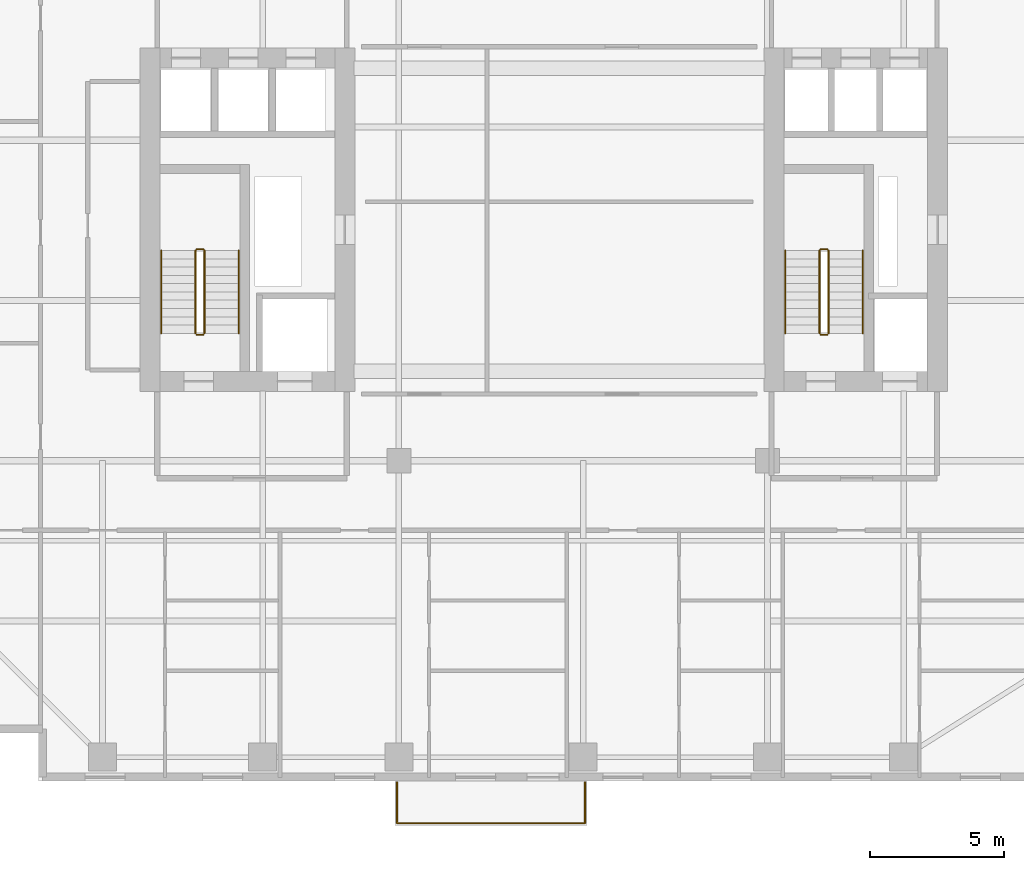
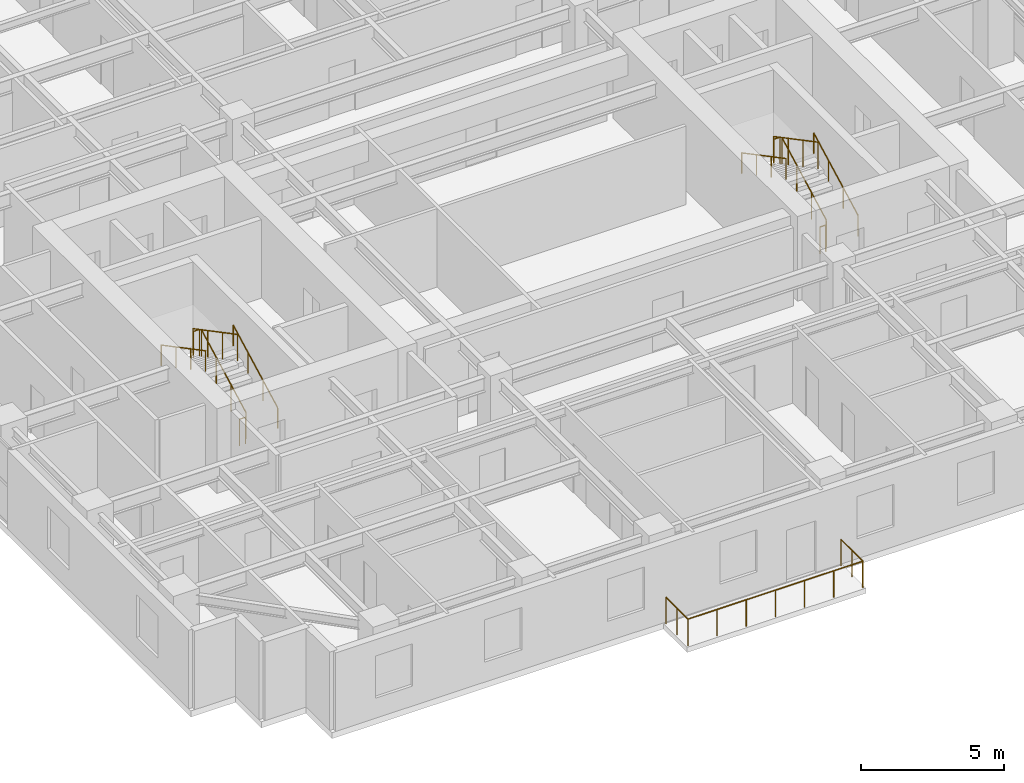
# One storey, part 14 of 15: 13 railings.
"""IFC4 building model written with IfcOpenShell, lengths in metres."""

from ifc_helpers import new_model, si_unit, direction, frame, origin, origin_2d, place, context, subcontext, project, spatial, circle, extrude, material, type_object, element, save


model = new_model("IFC4")

# Units and contexts
model_context = context("Model", 3, precision=1e-05, world=origin(), true_north=direction((0.0, 1.0)))
body_context = subcontext(model_context, "Body", "Model", "MODEL_VIEW")
ifc_project = project(units=[si_unit("LENGTHUNIT", "METRE"), si_unit("AREAUNIT", "SQUARE_METRE"), si_unit("VOLUMEUNIT", "CUBIC_METRE"), si_unit("PLANEANGLEUNIT", "RADIAN"), si_unit("MASSUNIT", "GRAM", prefix="KILO")], contexts=[model_context])

# Site, building, storey
site_placement = place(None, origin())
site = spatial("IfcSite", under=ifc_project, at=site_placement, CompositionType="ELEMENT")
building_placement = place(site_placement, origin())
building = spatial("IfcBuilding", under=site, at=building_placement, Name="Khoralis Quay Care Tower", CompositionType="ELEMENT")
storey_placement = place(building_placement, frame((0.0, 0.0, 123.300048828125)))
storey = spatial("IfcBuildingStorey", under=building, at=storey_placement, Name="L32", CompositionType="ELEMENT", Elevation=123.300048828125)

# Railings
ifc_material_1 = material(Name="Pale anodised aluminium", Category="aluminium")
railing_type_1 = type_object("IfcRailingType", Name="RL-BALUST-1150", PredefinedType="BALUSTRADE", material=ifc_material_1)
railing_1_placement = place(storey_placement, frame((17.030029296875, -0.0400390625, -0.0400390625)))
element("IfcRailing", 1, at=railing_1_placement, inside=storey, type_object=railing_type_1, Name="L32 Senior Loggia Balcony Guard", PredefinedType="BALUSTRADE", context=body_context, shape_type="SweptSolid", body=[
    extrude(circle(Radius=0.02392578125, at=origin_2d()), frame((0.0, 0.0, 1.1259765625), z_axis=(0.0, -1.0, 0.0), x_axis=(1.0, 0.0, 0.0)), (0.0, 0.0, 1.0), 1.530029296875),
    extrude(circle(Radius=0.02392578125, at=origin_2d()), frame((0.0, -1.530029296875, 1.1259765625), z_axis=(1.0, 0.0, 0.0), x_axis=(0.0, 1.0, 0.0)), (0.0, 0.0, 1.0), 7.0400390625),
    extrude(circle(Radius=0.02392578125, at=origin_2d()), frame((7.0400390625, -1.530029296875, 1.1259765625), z_axis=(0.0, 1.0, 0.0), x_axis=(-1.0, 0.0, 0.0)), (0.0, 0.0, 1.0), 1.530029296875),
    extrude(circle(Radius=0.02099609375, at=origin_2d()), origin(), (0.0, 0.0, 1.0), 1.101806640625),
    extrude(circle(Radius=0.02099609375, at=origin_2d()), frame((0.0, -0.76513671875, 0.0)), (0.0, 0.0, 1.0), 1.101806640625),
    extrude(circle(Radius=0.02099609375, at=origin_2d()), frame((0.0, -1.530029296875, 0.0)), (0.0, 0.0, 1.0), 1.101806640625),
    extrude(circle(Radius=0.02099609375, at=origin_2d()), frame((1.17333984375, -1.530029296875, 0.0)), (0.0, 0.0, 1.0), 1.101806640625),
    extrude(circle(Radius=0.02099609375, at=origin_2d()), frame((2.3466796875, -1.530029296875, 0.0)), (0.0, 0.0, 1.0), 1.101806640625),
    extrude(circle(Radius=0.02099609375, at=origin_2d()), frame((3.52001953125, -1.530029296875, 0.0)), (0.0, 0.0, 1.0), 1.101806640625),
    extrude(circle(Radius=0.02099609375, at=origin_2d()), frame((4.693359375, -1.530029296875, 0.0)), (0.0, 0.0, 1.0), 1.101806640625),
    extrude(circle(Radius=0.02099609375, at=origin_2d()), frame((5.86669921875, -1.530029296875, 0.0)), (0.0, 0.0, 1.0), 1.101806640625),
    extrude(circle(Radius=0.02099609375, at=origin_2d()), frame((7.0400390625, -1.530029296875, 0.0)), (0.0, 0.0, 1.0), 1.101806640625),
    extrude(circle(Radius=0.02099609375, at=origin_2d()), frame((7.0400390625, -0.76513671875, 0.0)), (0.0, 0.0, 1.0), 1.101806640625),
    extrude(circle(Radius=0.02099609375, at=origin_2d()), frame((7.0400390625, 0.0, 0.0)), (0.0, 0.0, 1.0), 1.101806640625),
])
ifc_material_2 = material(Name="Brushed stainless steel", Category="steel")
railing_type_2 = type_object("IfcRailingType", Name="RL-GUARD-1150", PredefinedType="GUARDRAIL", material=ifc_material_2)
railing_2_placement = place(storey_placement, frame((9.820068359375, 16.77001953125, 0.16357421875)))
element("IfcRailing", 2, at=railing_2_placement, inside=storey, type_object=railing_type_2, Name="L32 ST-T1 stair guard 1", PredefinedType="GUARDRAIL", context=body_context, shape_type="SweptSolid", body=[
    extrude(circle(Radius=0.02392578125, at=origin_2d()), frame((0.0, 0.0, 1.1259765625), z_axis=(0.0, 0.884348015382, 0.466828220752), x_axis=(-1.0, 0.0, 0.0)), (0.0, 0.0, 1.0), 3.505615234375),
    extrude(circle(Radius=0.02099609375, at=origin_2d()), origin(), (0.0, 0.0, 1.0), 1.101806640625),
    extrude(circle(Radius=0.02099609375, at=origin_2d()), frame((0.0, 1.033447265625, 0.54541015625)), (0.0, 0.0, 1.0), 1.101806640625),
    extrude(circle(Radius=0.02099609375, at=origin_2d()), frame((0.0, 2.066650390625, 1.091064453125)), (0.0, 0.0, 1.0), 1.101806640625),
    extrude(circle(Radius=0.02099609375, at=origin_2d()), frame((0.0, 3.10009765625, 1.636474609375)), (0.0, 0.0, 1.0), 1.101806640625),
])
railing_3_placement = place(storey_placement, frame((9.77001953125, 19.919921875, 1.800048828125)))
element("IfcRailing", 3, at=railing_3_placement, inside=storey, type_object=railing_type_2, Name="L32 ST-T1 stair guard 2", PredefinedType="GUARDRAIL", context=body_context, shape_type="SweptSolid", body=[
    extrude(circle(Radius=0.02392578125, at=origin_2d()), frame((0.0, 0.0, 1.1259765625), z_axis=(-1.0, 0.0, 0.0), x_axis=(0.0, -1.0, 0.0)), (0.0, 0.0, 1.0), 0.239990234375),
    extrude(circle(Radius=0.02099609375, at=origin_2d()), origin(), (0.0, 0.0, 1.0), 1.101806640625),
    extrude(circle(Radius=0.02099609375, at=origin_2d()), frame((-0.239990234375, 0.0, 0.0)), (0.0, 0.0, 1.0), 1.101806640625),
])
railing_4_placement = place(storey_placement, frame((9.47998046875, 19.8701171875, 1.963623046875)))
element("IfcRailing", 4, at=railing_4_placement, inside=storey, type_object=railing_type_2, Name="L32 ST-T1 stair guard 3", PredefinedType="GUARDRAIL", context=body_context, shape_type="SweptSolid", body=[
    extrude(circle(Radius=0.02392578125, at=origin_2d()), frame((0.0, 0.0, 1.1259765625), z_axis=(0.0, -0.884376766648, 0.46677375099), x_axis=(1.0, 0.0, 0.0)), (0.0, 0.0, 1.0), 3.50537109375),
    extrude(circle(Radius=0.02099609375, at=origin_2d()), origin(), (0.0, 0.0, 1.0), 1.101806640625),
    extrude(circle(Radius=0.02099609375, at=origin_2d()), frame((0.0, -1.033447265625, 0.54541015625)), (0.0, 0.0, 1.0), 1.101806640625),
    extrude(circle(Radius=0.02099609375, at=origin_2d()), frame((0.0, -2.066650390625, 1.0908203125)), (0.0, 0.0, 1.0), 1.101806640625),
    extrude(circle(Radius=0.02099609375, at=origin_2d()), frame((0.0, -3.10009765625, 1.63623046875)), (0.0, 0.0, 1.0), 1.101806640625),
])
railing_5_placement = place(storey_placement, frame((9.77001953125, 16.719970703125, 0.0)))
element("IfcRailing", 5, at=railing_5_placement, inside=storey, type_object=railing_type_2, Name="L32 ST-T1 stair guard 4", PredefinedType="GUARDRAIL", context=body_context, shape_type="SweptSolid", body=[
    extrude(circle(Radius=0.02392578125, at=origin_2d()), frame((0.0, 0.0, 1.1259765625), z_axis=(-1.0, 0.0, 0.0), x_axis=(0.0, -1.0, 0.0)), (0.0, 0.0, 1.0), 0.239990234375),
    extrude(circle(Radius=0.02099609375, at=origin_2d()), origin(), (0.0, 0.0, 1.0), 1.101806640625),
    extrude(circle(Radius=0.02099609375, at=origin_2d()), frame((-0.239990234375, 0.0, 0.0)), (0.0, 0.0, 1.0), 1.101806640625),
])
railing_6_placement = place(storey_placement, frame((33.18994140625, 16.77001953125, 0.16357421875)))
element("IfcRailing", 6, at=railing_6_placement, inside=storey, type_object=railing_type_2, Name="L32 ST-T2 stair guard 1", PredefinedType="GUARDRAIL", context=body_context, shape_type="SweptSolid", body=[
    extrude(circle(Radius=0.02392578125, at=origin_2d()), frame((0.0, 0.0, 1.1259765625), z_axis=(0.0, 0.884348015382, 0.466828220752), x_axis=(-1.0, 0.0, 0.0)), (0.0, 0.0, 1.0), 3.505615234375),
    extrude(circle(Radius=0.02099609375, at=origin_2d()), origin(), (0.0, 0.0, 1.0), 1.101806640625),
    extrude(circle(Radius=0.02099609375, at=origin_2d()), frame((0.0, 1.033447265625, 0.54541015625)), (0.0, 0.0, 1.0), 1.101806640625),
    extrude(circle(Radius=0.02099609375, at=origin_2d()), frame((0.0, 2.066650390625, 1.091064453125)), (0.0, 0.0, 1.0), 1.101806640625),
    extrude(circle(Radius=0.02099609375, at=origin_2d()), frame((0.0, 3.10009765625, 1.636474609375)), (0.0, 0.0, 1.0), 1.101806640625),
])
railing_7_placement = place(storey_placement, frame((33.139892578125, 19.919921875, 1.800048828125)))
element("IfcRailing", 7, at=railing_7_placement, inside=storey, type_object=railing_type_2, Name="L32 ST-T2 stair guard 2", PredefinedType="GUARDRAIL", context=body_context, shape_type="SweptSolid", body=[
    extrude(circle(Radius=0.02392578125, at=origin_2d()), frame((0.0, 0.0, 1.1259765625), z_axis=(-1.0, 0.0, 0.0), x_axis=(0.0, -1.0, 0.0)), (0.0, 0.0, 1.0), 0.239990234375),
    extrude(circle(Radius=0.02099609375, at=origin_2d()), origin(), (0.0, 0.0, 1.0), 1.101806640625),
    extrude(circle(Radius=0.02099609375, at=origin_2d()), frame((-0.239990234375, 0.0, 0.0)), (0.0, 0.0, 1.0), 1.101806640625),
])
railing_8_placement = place(storey_placement, frame((32.85009765625, 19.8701171875, 1.963623046875)))
element("IfcRailing", 8, at=railing_8_placement, inside=storey, type_object=railing_type_2, Name="L32 ST-T2 stair guard 3", PredefinedType="GUARDRAIL", context=body_context, shape_type="SweptSolid", body=[
    extrude(circle(Radius=0.02392578125, at=origin_2d()), frame((0.0, 0.0, 1.1259765625), z_axis=(0.0, -0.884376766648, 0.46677375099), x_axis=(1.0, 0.0, 0.0)), (0.0, 0.0, 1.0), 3.50537109375),
    extrude(circle(Radius=0.02099609375, at=origin_2d()), origin(), (0.0, 0.0, 1.0), 1.101806640625),
    extrude(circle(Radius=0.02099609375, at=origin_2d()), frame((0.0, -1.033447265625, 0.54541015625)), (0.0, 0.0, 1.0), 1.101806640625),
    extrude(circle(Radius=0.02099609375, at=origin_2d()), frame((0.0, -2.066650390625, 1.0908203125)), (0.0, 0.0, 1.0), 1.101806640625),
    extrude(circle(Radius=0.02099609375, at=origin_2d()), frame((0.0, -3.10009765625, 1.63623046875)), (0.0, 0.0, 1.0), 1.101806640625),
])
railing_9_placement = place(storey_placement, frame((33.139892578125, 16.719970703125, 0.0)))
element("IfcRailing", 9, at=railing_9_placement, inside=storey, type_object=railing_type_2, Name="L32 ST-T2 stair guard 4", PredefinedType="GUARDRAIL", context=body_context, shape_type="SweptSolid", body=[
    extrude(circle(Radius=0.02392578125, at=origin_2d()), frame((0.0, 0.0, 1.1259765625), z_axis=(-1.0, 0.0, 0.0), x_axis=(0.0, -1.0, 0.0)), (0.0, 0.0, 1.0), 0.239990234375),
    extrude(circle(Radius=0.02099609375, at=origin_2d()), origin(), (0.0, 0.0, 1.0), 1.101806640625),
    extrude(circle(Radius=0.02099609375, at=origin_2d()), frame((-0.239990234375, 0.0, 0.0)), (0.0, 0.0, 1.0), 1.101806640625),
])
railing_type_3 = type_object("IfcRailingType", Name="RL-HAND-900", PredefinedType="HANDRAIL", material=ifc_material_2)
railing_10_placement = place(storey_placement, frame((11.10009765625, 16.77001953125, 0.16357421875)))
element("IfcRailing", 10, at=railing_10_placement, inside=storey, type_object=railing_type_3, Name="L32 ST-T1 stair handrail 1", PredefinedType="HANDRAIL", context=body_context, shape_type="SweptSolid", body=[
    extrude(circle(Radius=0.02392578125, at=origin_2d()), frame((0.0, 0.0, 0.8759765625), z_axis=(0.0, 0.884348015382, 0.466828220752), x_axis=(-1.0, 0.0, 0.0)), (0.0, 0.0, 1.0), 3.505615234375),
    extrude(circle(Radius=0.02099609375, at=origin_2d()), origin(), (0.0, 0.0, 1.0), 0.851806640625),
    extrude(circle(Radius=0.02099609375, at=origin_2d()), frame((0.0, 1.033447265625, 0.54541015625)), (0.0, 0.0, 1.0), 0.851806640625),
    extrude(circle(Radius=0.02099609375, at=origin_2d()), frame((0.0, 2.066650390625, 1.091064453125)), (0.0, 0.0, 1.0), 0.851806640625),
    extrude(circle(Radius=0.02099609375, at=origin_2d()), frame((0.0, 3.10009765625, 1.636474609375)), (0.0, 0.0, 1.0), 0.851806640625),
])
railing_11_placement = place(storey_placement, frame((8.199951171875, 19.8701171875, 1.963623046875)))
element("IfcRailing", 11, at=railing_11_placement, inside=storey, type_object=railing_type_3, Name="L32 ST-T1 stair handrail 2", PredefinedType="HANDRAIL", context=body_context, shape_type="SweptSolid", body=[
    extrude(circle(Radius=0.02392578125, at=origin_2d()), frame((0.0, 0.0, 0.8759765625), z_axis=(0.0, -0.884376766648, 0.46677375099), x_axis=(1.0, 0.0, 0.0)), (0.0, 0.0, 1.0), 3.50537109375),
    extrude(circle(Radius=0.02099609375, at=origin_2d()), origin(), (0.0, 0.0, 1.0), 0.851806640625),
    extrude(circle(Radius=0.02099609375, at=origin_2d()), frame((0.0, -1.033447265625, 0.54541015625)), (0.0, 0.0, 1.0), 0.851806640625),
    extrude(circle(Radius=0.02099609375, at=origin_2d()), frame((0.0, -2.066650390625, 1.0908203125)), (0.0, 0.0, 1.0), 0.851806640625),
    extrude(circle(Radius=0.02099609375, at=origin_2d()), frame((0.0, -3.10009765625, 1.63623046875)), (0.0, 0.0, 1.0), 0.851806640625),
])
railing_12_placement = place(storey_placement, frame((34.469970703125, 16.77001953125, 0.16357421875)))
element("IfcRailing", 12, at=railing_12_placement, inside=storey, type_object=railing_type_3, Name="L32 ST-T2 stair handrail 1", PredefinedType="HANDRAIL", context=body_context, shape_type="SweptSolid", body=[
    extrude(circle(Radius=0.02392578125, at=origin_2d()), frame((0.0, 0.0, 0.8759765625), z_axis=(0.0, 0.884348015382, 0.466828220752), x_axis=(-1.0, 0.0, 0.0)), (0.0, 0.0, 1.0), 3.505615234375),
    extrude(circle(Radius=0.02099609375, at=origin_2d()), origin(), (0.0, 0.0, 1.0), 0.851806640625),
    extrude(circle(Radius=0.02099609375, at=origin_2d()), frame((0.0, 1.033447265625, 0.54541015625)), (0.0, 0.0, 1.0), 0.851806640625),
    extrude(circle(Radius=0.02099609375, at=origin_2d()), frame((0.0, 2.066650390625, 1.091064453125)), (0.0, 0.0, 1.0), 0.851806640625),
    extrude(circle(Radius=0.02099609375, at=origin_2d()), frame((0.0, 3.10009765625, 1.636474609375)), (0.0, 0.0, 1.0), 0.851806640625),
])
railing_13_placement = place(storey_placement, frame((31.570068359375, 19.8701171875, 1.963623046875)))
element("IfcRailing", 13, at=railing_13_placement, inside=storey, type_object=railing_type_3, Name="L32 ST-T2 stair handrail 2", PredefinedType="HANDRAIL", context=body_context, shape_type="SweptSolid", body=[
    extrude(circle(Radius=0.02392578125, at=origin_2d()), frame((0.0, 0.0, 0.8759765625), z_axis=(0.0, -0.884376766648, 0.46677375099), x_axis=(1.0, 0.0, 0.0)), (0.0, 0.0, 1.0), 3.50537109375),
    extrude(circle(Radius=0.02099609375, at=origin_2d()), origin(), (0.0, 0.0, 1.0), 0.851806640625),
    extrude(circle(Radius=0.02099609375, at=origin_2d()), frame((0.0, -1.033447265625, 0.54541015625)), (0.0, 0.0, 1.0), 0.851806640625),
    extrude(circle(Radius=0.02099609375, at=origin_2d()), frame((0.0, -2.066650390625, 1.0908203125)), (0.0, 0.0, 1.0), 0.851806640625),
    extrude(circle(Radius=0.02099609375, at=origin_2d()), frame((0.0, -3.10009765625, 1.63623046875)), (0.0, 0.0, 1.0), 0.851806640625),
])

save(model, "model.ifc")
